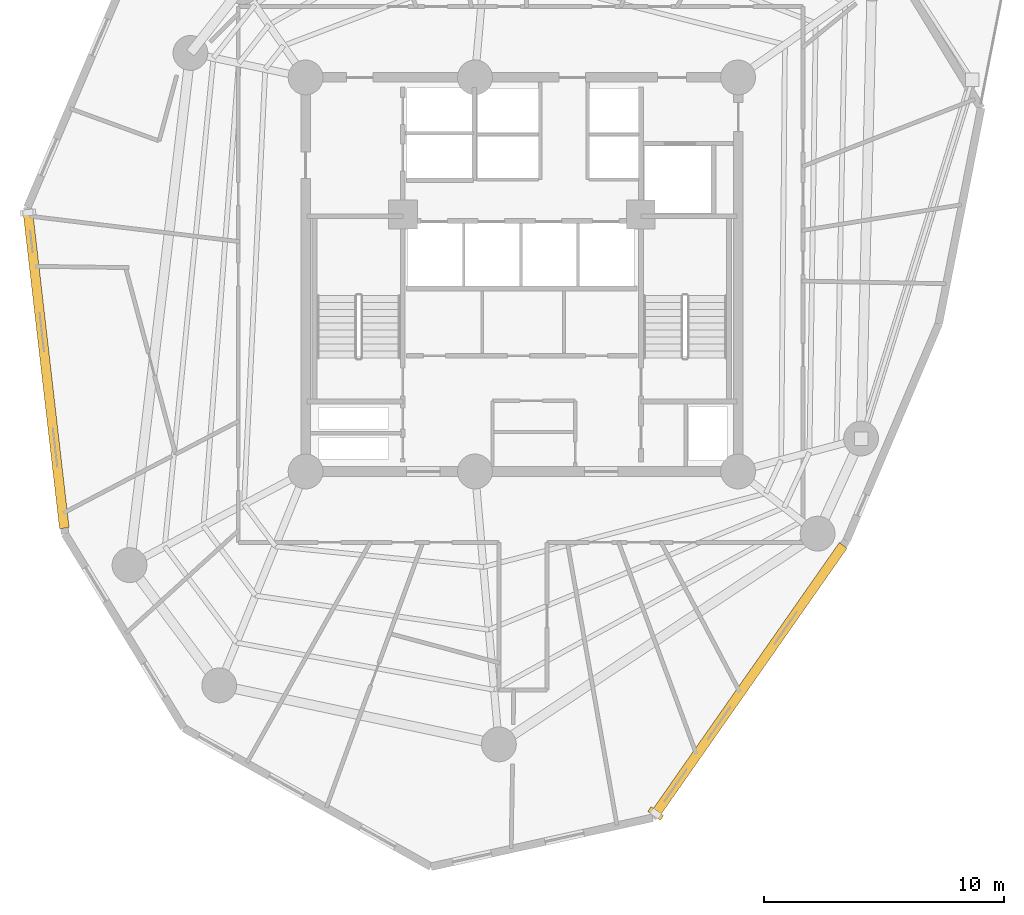
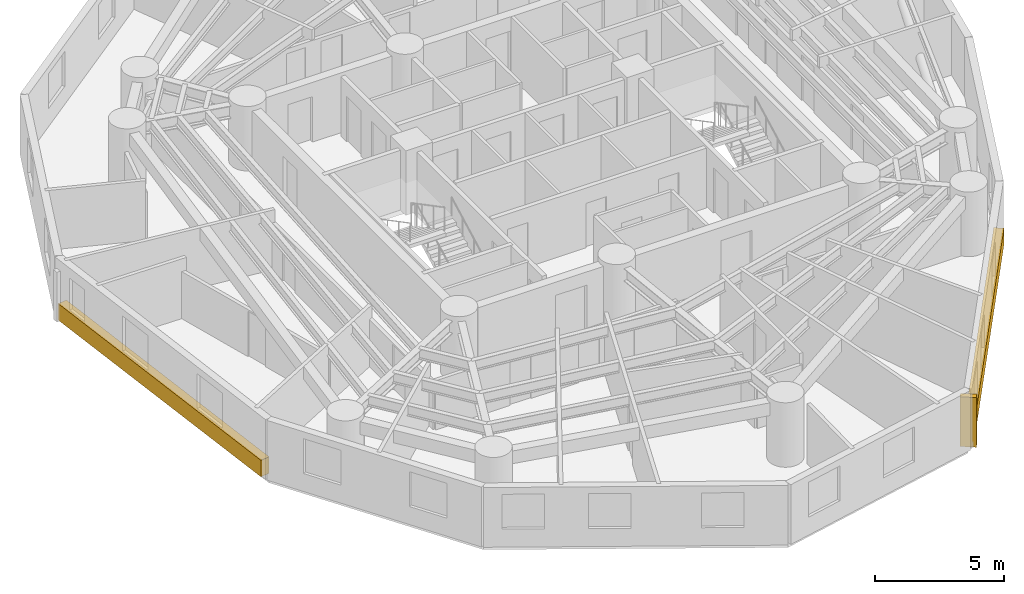
# One storey, part 7 of 9: 2 coverings, 1 shading device.
"""IFC4 building model written with IfcOpenShell, lengths in metres."""

from ifc_helpers import new_model, si_unit, direction, frame, origin, origin_with_axes, origin_2d, place, context, subcontext, project, spatial, rectangle, extrude, source, transform, mapped, material, layer, layer_set, type_object, element, save


model = new_model("IFC4")

# Units and contexts
model_context = context("Model", 3, precision=1e-05, world=origin(), true_north=direction((0.0, 1.0)))
body_context = subcontext(model_context, "Body", "Model", "MODEL_VIEW")
ifc_project = project(units=[si_unit("LENGTHUNIT", "METRE"), si_unit("AREAUNIT", "SQUARE_METRE"), si_unit("VOLUMEUNIT", "CUBIC_METRE"), si_unit("PLANEANGLEUNIT", "RADIAN"), si_unit("MASSUNIT", "GRAM", prefix="KILO")], contexts=[model_context])

# Site, building, storey
site_placement = place(None, origin())
site = spatial("IfcSite", under=ifc_project, at=site_placement, CompositionType="ELEMENT")
building_placement = place(site_placement, origin())
building = spatial("IfcBuilding", under=site, at=building_placement, Name="Karkom Vertical University and Central Library", CompositionType="ELEMENT")
storey_placement = place(building_placement, frame((0.0, 0.0, 129.75)))
storey = spatial("IfcBuildingStorey", under=building, at=storey_placement, Name="L36", CompositionType="ELEMENT", Elevation=129.75)

# Shading device
ifc_material_1 = material(Name="Terracotta-clad precast concrete sun-breaker fin C45/55", Category="masonry")
shading_device_type = type_object("IfcShadingDeviceType", Name="ENV-SHD-BRISE", PredefinedType="USERDEFINED", material=ifc_material_1)
shared_shape_1 = source(origin_with_axes(), body_context, "Body", "SweptSolid", [
    extrude(rectangle(XDim=0.239990234375, YDim=0.639892578125, at=origin_2d()), origin(), (0.0, 0.0, 1.0), 2.35009765625),
])
shading_device_placement = place(storey_placement, frame((34.071044921875, 4.066162109375, 0.0), z_axis=(0.0, 0.0, 1.0), x_axis=(0.573147450739, 0.819452255907, 0.0)))
element("IfcShadingDevice", 1, at=shading_device_placement, inside=storey, type_object=shading_device_type, Name="Level 36 Brutalist Brise-Soleil Fin 05", ObjectType="BRISE SOLEIL", PredefinedType="USERDEFINED", context=body_context, shape_type="MappedRepresentation", body=[
    mapped(shared_shape_1, transform((0.0, 0.0, 0.0), scale=1.0)),
])

# Coverings
ifc_material_2 = material(Name="Hand-pressed red-ochre terracotta brick slip cladding", Category="masonry")
ifc_layer = layer(ifc_material_2, 0.090087890625)
ifc_layer_set = layer_set([ifc_layer], Name="Hand-pressed red-ochre terracotta brick slip cladding")
covering_type = type_object("IfcCoveringType", Name="ENV-COV-CLAD", PredefinedType="CLADDING", material=ifc_layer_set)
shared_shape_2 = source(origin_with_axes(), body_context, "Body", "SweptSolid", [
    extrude(rectangle(XDim=13.18896484375, YDim=0.39990234375, at=origin_2d()), origin(), (0.0, 0.0, 1.0), 0.780029296875),
])
covering_1_placement = place(storey_placement, frame((8.7041015625, 22.49365234375, 0.0), z_axis=(0.0, 0.0, 1.0), x_axis=(0.114417005998, -0.99343281038, 0.0)))
element("IfcCovering", 2, at=covering_1_placement, inside=storey, type_object=covering_type, Name="Level 36 Terracotta Spandrel Cladding 01", PredefinedType="CLADDING", context=body_context, shape_type="MappedRepresentation", body=[
    mapped(shared_shape_2, transform((0.0, 0.0, 0.0), scale=1.0)),
])
shared_shape_3 = source(origin_with_axes(), body_context, "Body", "SweptSolid", [
    extrude(rectangle(XDim=13.5869140625, YDim=0.39990234375, at=origin_2d()), origin(), (0.0, 0.0, 1.0), 0.780029296875),
])
covering_2_placement = place(storey_placement, frame((37.9814453125, 9.658203125, 0.0), z_axis=(0.0, 0.0, 1.0), x_axis=(0.573147450739, 0.819452255907, 0.0)))
element("IfcCovering", 3, at=covering_2_placement, inside=storey, type_object=covering_type, Name="Level 36 Terracotta Spandrel Cladding 05", PredefinedType="CLADDING", context=body_context, shape_type="MappedRepresentation", body=[
    mapped(shared_shape_3, transform((0.0, 0.0, 0.0), scale=1.0)),
])

save(model, "model.ifc")
